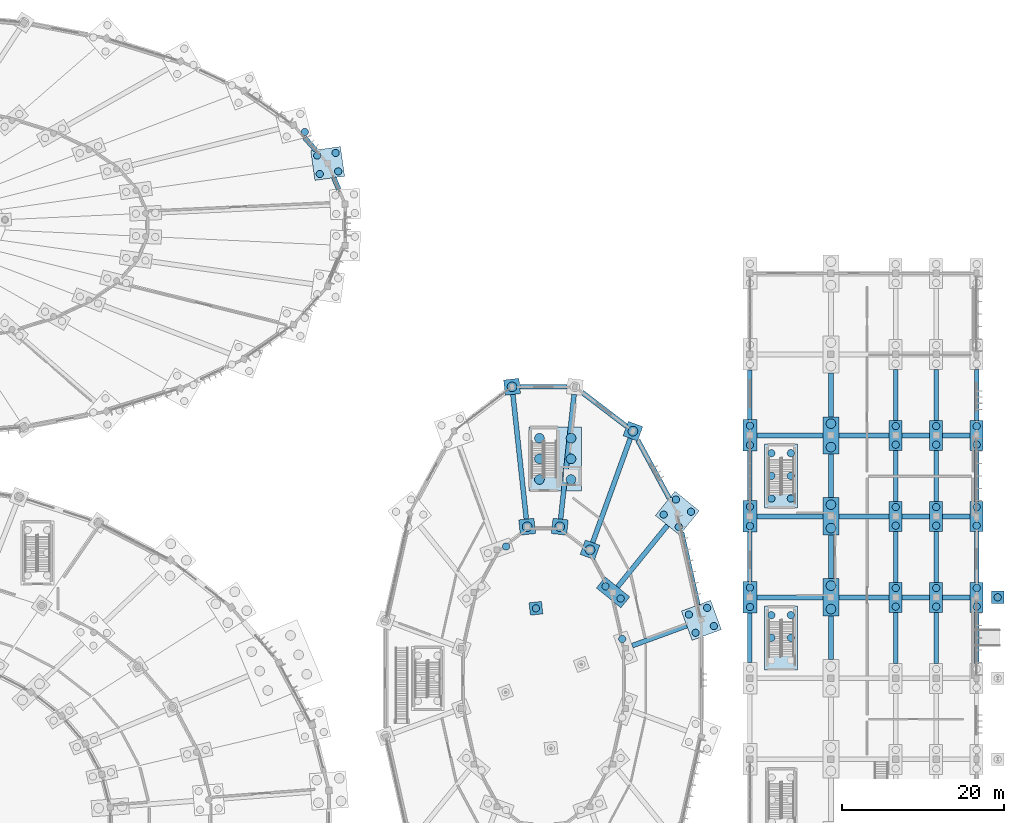
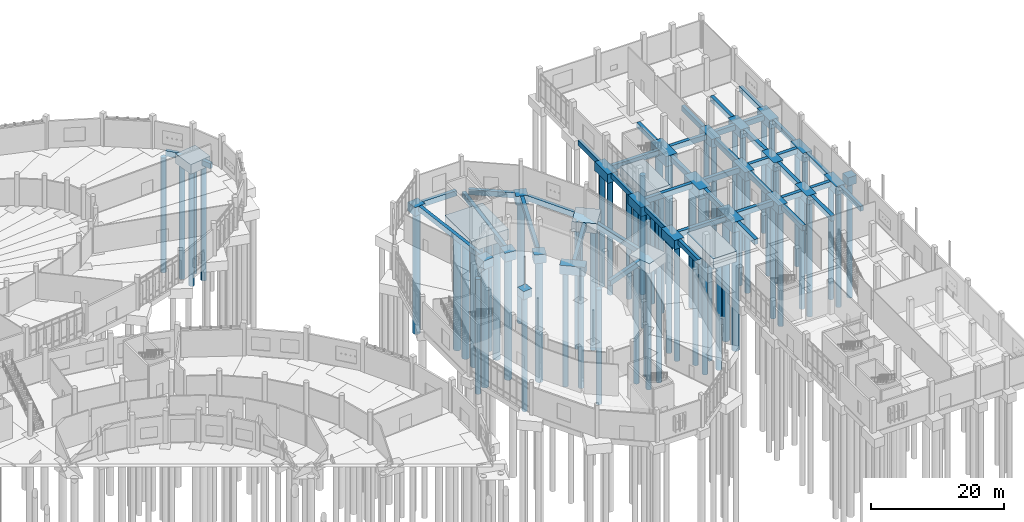
# One storey, part 11 of 140: 72 footings, 70 piles.
"""IFC4 building model written with IfcOpenShell, lengths in metres."""

from ifc_helpers import new_model, si_unit, direction, frame, origin, origin_2d, place, context, subcontext, project, spatial, rectangle, circle, extrude, material, layer, layer_set, material_profile, profile_set, type_object, element, save


model = new_model("IFC4")

# Units and contexts
model_context = context("Model", 3, precision=1e-05, world=origin(), true_north=direction((0.0, 1.0)))
body_context = subcontext(model_context, "Body", "Model", "MODEL_VIEW")
ifc_project = project(units=[si_unit("LENGTHUNIT", "METRE"), si_unit("AREAUNIT", "SQUARE_METRE"), si_unit("VOLUMEUNIT", "CUBIC_METRE"), si_unit("PLANEANGLEUNIT", "RADIAN"), si_unit("MASSUNIT", "GRAM", prefix="KILO")], contexts=[model_context])

# Site, building, storey
site_placement = place(None, origin())
site = spatial("IfcSite", under=ifc_project, at=site_placement, CompositionType="ELEMENT")
building_placement = place(site_placement, origin())
building = spatial("IfcBuilding", under=site, at=building_placement, Name="Corvandel Quay Wholesale Market", CompositionType="ELEMENT")
storey_placement = place(building_placement, origin())
storey = spatial("IfcBuildingStorey", under=building, at=storey_placement, Name="L00", CompositionType="ELEMENT", Elevation=0.0)

# Piles
ifc_material = material(Name="Concrete C40/50", Category="concrete")
ifc_material_profile_1 = material_profile(ifc_material, circle(Radius=0.60009765625, at=origin_2d()), Name="RC-PILE-D1200")
ifc_profile_set_1 = profile_set([ifc_material_profile_1], Name="Concrete C40/50")
pile_type_1 = type_object("IfcPileType", Name="Bored Pile D1200 L22.2", PredefinedType="BORED", material=ifc_profile_set_1)
for number, where, z_axis, x_axis, name in (
    (1, (194.0, 84.550048828125, -1.85009765625), (0.0, 0.0, -1.0), (1.0, 0.0, 0.0), "Bored Pile PIL-0017"),
    (2, (197.89990234375, 84.550048828125, -1.85009765625), (0.0, 0.0, -1.0), (1.0, 0.0, 0.0), "Bored Pile PIL-0018"),
    (3, (194.0, 87.10009765625, -1.85009765625), (0.0, 0.0, -1.0), (1.0, 0.0, 0.0), "Bored Pile PIL-0019"),
    (4, (197.89990234375, 87.10009765625, -1.85009765625), (0.0, 0.0, -1.0), (1.0, 0.0, 0.0), "Bored Pile PIL-0020"),
    (5, (194.0, 89.64990234375, -1.85009765625), (0.0, 0.0, -1.0), (1.0, 0.0, 0.0), "Bored Pile PIL-0021"),
    (6, (197.89990234375, 89.64990234375, -1.85009765625), (0.0, 0.0, -1.0), (1.0, 0.0, 0.0), "Bored Pile PIL-0022"),
    (7, (205.5458984375, 90.51904296875, -1.5), (0.0, 0.0, -1.0), (1.0, 0.0, 0.0), "Bored Pile PIL-0512"),
    (8, (200.243896484375, 75.8701171875, -1.5), (0.0, 0.0, -1.0), (1.0, 0.0, 0.0), "Bored Pile PIL-0513"),
    (9, (196.51708984375, 78.719970703125, -1.5), (0.0, 0.0, -1.0), (1.0, 0.0, 0.0), "Bored Pile PIL-0515"),
    (10, (190.62109375, 96.0, -1.5), (0.0, 0.0, -1.0), (1.0, 0.0, 0.0), "Bored Pile PIL-0516"),
    (11, (192.48291015625, 78.719970703125, -1.5), (0.0, 0.0, -1.0), (1.0, 0.0, 0.0), "Bored Pile PIL-0517"),
    (12, (230.0, 68.550048828125, -1.75), (0.0, 0.0, -1.0), (1.0, 0.0, 0.0), "Bored Pile PIL-0784"),
    (13, (230.0, 71.449951171875, -1.75), (0.0, 0.0, -1.0), (1.0, 0.0, 0.0), "Bored Pile PIL-0785"),
    (14, (230.0, 78.550048828125, -1.75), (0.0, 0.0, -1.0), (1.0, 0.0, 0.0), "Bored Pile PIL-0786"),
    (15, (230.0, 81.449951171875, -1.75), (0.0, 0.0, -1.0), (1.0, 0.0, 0.0), "Bored Pile PIL-0787"),
    (16, (230.0, 88.550048828125, -1.75), (0.0, 0.0, -1.0), (1.0, 0.0, 0.0), "Bored Pile PIL-0788"),
    (17, (230.0, 91.449951171875, -1.75), (0.0, 0.0, -1.0), (1.0, 0.0, 0.0), "Bored Pile PIL-0789"),
):
    element("IfcPile", number, at=place(storey_placement, frame(where, z_axis=z_axis, x_axis=x_axis)), inside=storey, type_object=pile_type_1, Name=name, PredefinedType="BORED", context=body_context, shape_type="SweptSolid", body=[
        extrude(circle(Radius=0.60009765625, at=origin_2d()), origin(), (0.0, 0.0, 1.0), 22.199951171875),
    ])
ifc_material_profile_2 = material_profile(ifc_material, circle(Radius=0.449951171875, at=origin_2d()), Name="RC-PILE-D900")
ifc_profile_set_2 = profile_set([ifc_material_profile_2], Name="Concrete C40/50")
pile_type_2 = type_object("IfcPileType", Name="Bored Pile D900 L21.0", PredefinedType="BORED", material=ifc_profile_set_2)
for number, where, z_axis, x_axis, name in (
    (18, (169.14697265625, 122.60595703125, -1.64990234375), (0.0, 0.0, -1.0), (1.0, 0.0, 0.0), "Bored Pile PIL-0342"),
    (19, (168.825927734375, 124.883056640625, -1.64990234375), (0.0, 0.0, -1.0), (1.0, 0.0, 0.0), "Bored Pile PIL-0343"),
    (20, (166.8701171875, 122.284912109375, -1.64990234375), (0.0, 0.0, -1.0), (1.0, 0.0, 0.0), "Bored Pile PIL-0344"),
    (21, (166.549072265625, 124.56201171875, -1.64990234375), (0.0, 0.0, -1.0), (1.0, 0.0, 0.0), "Bored Pile PIL-0345"),
    (22, (165.02001953125, 127.47705078125, -1.64990234375), (0.0, 0.0, -1.0), (1.0, 0.0, 0.0), "Bored Pile PIL-0348"),
    (23, (204.22607421875, 64.85009765625, -1.550048828125), (0.0, 0.0, -1.0), (1.0, 0.0, 0.0), "Bored Pile PIL-0504"),
    (24, (204.028076171875, 69.847900390625, -1.550048828125), (0.0, 0.0, -1.0), (1.0, 0.0, 0.0), "Bored Pile PIL-0510"),
    (25, (202.1640625, 71.360107421875, -1.550048828125), (0.0, 0.0, -1.0), (1.0, 0.0, 0.0), "Bored Pile PIL-0511"),
    (26, (193.569091796875, 68.639892578125, -1.39990234375), (0.0, 0.0, -1.0), (1.0, 0.0, 0.0), "Bored Pile PIL-0518"),
    (27, (189.884033203125, 76.278076171875, -1.550048828125), (0.0, 0.0, -1.0), (1.0, 0.0, 0.0), "Bored Pile PIL-0524"),
    (28, (220.0, 68.800048828125, -1.550048828125), (0.0, 0.0, -1.0), (1.0, 0.0, 0.0), "Bored Pile PIL-0762"),
    (29, (220.0, 71.199951171875, -1.550048828125), (0.0, 0.0, -1.0), (1.0, 0.0, 0.0), "Bored Pile PIL-0763"),
    (30, (220.0, 78.800048828125, -1.550048828125), (0.0, 0.0, -1.0), (1.0, 0.0, 0.0), "Bored Pile PIL-0764"),
    (31, (220.0, 81.199951171875, -1.550048828125), (0.0, 0.0, -1.0), (1.0, 0.0, 0.0), "Bored Pile PIL-0765"),
    (32, (220.0, 88.800048828125, -1.550048828125), (0.0, 0.0, -1.0), (1.0, 0.0, 0.0), "Bored Pile PIL-0766"),
    (33, (220.0, 91.199951171875, -1.550048828125), (0.0, 0.0, -1.0), (1.0, 0.0, 0.0), "Bored Pile PIL-0767"),
    (34, (238.0, 68.85009765625, -1.5), (0.0, 0.0, -1.0), (1.0, 0.0, 0.0), "Bored Pile PIL-0806"),
    (35, (238.0, 71.14990234375, -1.5), (0.0, 0.0, -1.0), (1.0, 0.0, 0.0), "Bored Pile PIL-0807"),
    (36, (238.0, 78.85009765625, -1.5), (0.0, 0.0, -1.0), (1.0, 0.0, 0.0), "Bored Pile PIL-0808"),
    (37, (238.0, 81.14990234375, -1.5), (0.0, 0.0, -1.0), (1.0, 0.0, 0.0), "Bored Pile PIL-0809"),
    (38, (238.0, 88.85009765625, -1.5), (0.0, 0.0, -1.0), (1.0, 0.0, 0.0), "Bored Pile PIL-0810"),
    (39, (238.0, 91.14990234375, -1.5), (0.0, 0.0, -1.0), (1.0, 0.0, 0.0), "Bored Pile PIL-0811"),
    (40, (243.0, 68.85009765625, -1.5), (0.0, 0.0, -1.0), (1.0, 0.0, 0.0), "Bored Pile PIL-0828"),
    (41, (243.0, 71.14990234375, -1.5), (0.0, 0.0, -1.0), (1.0, 0.0, 0.0), "Bored Pile PIL-0829"),
    (42, (243.0, 78.85009765625, -1.5), (0.0, 0.0, -1.0), (1.0, 0.0, 0.0), "Bored Pile PIL-0830"),
    (43, (243.0, 81.14990234375, -1.5), (0.0, 0.0, -1.0), (1.0, 0.0, 0.0), "Bored Pile PIL-0831"),
    (44, (243.0, 88.85009765625, -1.5), (0.0, 0.0, -1.0), (1.0, 0.0, 0.0), "Bored Pile PIL-0832"),
    (45, (243.0, 91.14990234375, -1.5), (0.0, 0.0, -1.0), (1.0, 0.0, 0.0), "Bored Pile PIL-0833"),
    (46, (248.0, 68.85009765625, -1.5), (0.0, 0.0, -1.0), (1.0, 0.0, 0.0), "Bored Pile PIL-0850"),
    (47, (248.0, 71.14990234375, -1.5), (0.0, 0.0, -1.0), (1.0, 0.0, 0.0), "Bored Pile PIL-0851"),
    (48, (248.0, 78.85009765625, -1.5), (0.0, 0.0, -1.0), (1.0, 0.0, 0.0), "Bored Pile PIL-0852"),
    (49, (248.0, 81.14990234375, -1.5), (0.0, 0.0, -1.0), (1.0, 0.0, 0.0), "Bored Pile PIL-0853"),
    (50, (248.0, 88.85009765625, -1.5), (0.0, 0.0, -1.0), (1.0, 0.0, 0.0), "Bored Pile PIL-0854"),
    (51, (248.0, 91.14990234375, -1.5), (0.0, 0.0, -1.0), (1.0, 0.0, 0.0), "Bored Pile PIL-0855"),
    (52, (250.60009765625, 70.0, -1.39990234375), (0.0, 0.0, -1.0), (1.0, 0.0, 0.0), "Bored Pile PIL-0863"),
):
    element("IfcPile", number, at=place(storey_placement, frame(where, z_axis=z_axis, x_axis=x_axis)), inside=storey, type_object=pile_type_2, Name=name, PredefinedType="BORED", context=body_context, shape_type="SweptSolid", body=[
        extrude(circle(Radius=0.449951171875, at=origin_2d()), origin(), (0.0, 0.0, 1.0), 21.0),
    ])
ifc_material_profile_3 = material_profile(ifc_material, circle(Radius=0.449951171875, at=origin_2d()), Name="RC-PILE-D900")
ifc_profile_set_3 = profile_set([ifc_material_profile_3], Name="Concrete C40/50")
pile_type_3 = type_object("IfcPileType", Name="Bored Pile D900 L21.8", PredefinedType="BORED", material=ifc_profile_set_3)
for number, where, z_axis, x_axis, name in (
    (53, (222.64990234375, 65.0, -1.85009765625), (0.0, 0.0, -1.0), (1.0, 0.0, 0.0), "Bored Pile PIL-0109"),
    (54, (225.050048828125, 65.0, -1.85009765625), (0.0, 0.0, -1.0), (1.0, 0.0, 0.0), "Bored Pile PIL-0110"),
    (55, (222.64990234375, 67.800048828125, -1.85009765625), (0.0, 0.0, -1.0), (1.0, 0.0, 0.0), "Bored Pile PIL-0111"),
    (56, (225.050048828125, 67.800048828125, -1.85009765625), (0.0, 0.0, -1.0), (1.0, 0.0, 0.0), "Bored Pile PIL-0112"),
    (57, (222.64990234375, 82.199951171875, -1.85009765625), (0.0, 0.0, -1.0), (1.0, 0.0, 0.0), "Bored Pile PIL-0119"),
    (58, (225.050048828125, 82.199951171875, -1.85009765625), (0.0, 0.0, -1.0), (1.0, 0.0, 0.0), "Bored Pile PIL-0120"),
    (59, (222.64990234375, 85.0, -1.85009765625), (0.0, 0.0, -1.0), (1.0, 0.0, 0.0), "Bored Pile PIL-0121"),
    (60, (225.050048828125, 85.0, -1.85009765625), (0.0, 0.0, -1.0), (1.0, 0.0, 0.0), "Bored Pile PIL-0122"),
    (61, (222.64990234375, 87.800048828125, -1.85009765625), (0.0, 0.0, -1.0), (1.0, 0.0, 0.0), "Bored Pile PIL-0123"),
    (62, (225.050048828125, 87.800048828125, -1.85009765625), (0.0, 0.0, -1.0), (1.0, 0.0, 0.0), "Bored Pile PIL-0124"),
    (63, (215.5400390625, 66.447998046875, -1.699951171875), (0.0, 0.0, -1.0), (1.0, 0.0, 0.0), "Bored Pile PIL-0499"),
    (64, (214.712890625, 68.700927734375, -1.699951171875), (0.0, 0.0, -1.0), (1.0, 0.0, 0.0), "Bored Pile PIL-0500"),
    (65, (213.287109375, 65.62109375, -1.699951171875), (0.0, 0.0, -1.0), (1.0, 0.0, 0.0), "Bored Pile PIL-0501"),
    (66, (212.4599609375, 67.8740234375, -1.699951171875), (0.0, 0.0, -1.0), (1.0, 0.0, 0.0), "Bored Pile PIL-0502"),
    (67, (212.718994140625, 80.569091796875, -1.699951171875), (0.0, 0.0, -1.0), (1.0, 0.0, 0.0), "Bored Pile PIL-0506"),
    (68, (210.85400390625, 82.080078125, -1.699951171875), (0.0, 0.0, -1.0), (1.0, 0.0, 0.0), "Bored Pile PIL-0507"),
    (69, (211.2080078125, 78.7041015625, -1.699951171875), (0.0, 0.0, -1.0), (1.0, 0.0, 0.0), "Bored Pile PIL-0508"),
    (70, (209.343017578125, 80.215087890625, -1.699951171875), (0.0, 0.0, -1.0), (1.0, 0.0, 0.0), "Bored Pile PIL-0509"),
):
    element("IfcPile", number, at=place(storey_placement, frame(where, z_axis=z_axis, x_axis=x_axis)), inside=storey, type_object=pile_type_3, Name=name, PredefinedType="BORED", context=body_context, shape_type="SweptSolid", body=[
        extrude(circle(Radius=0.449951171875, at=origin_2d()), origin(), (0.0, 0.0, 1.0), 21.800048828125),
    ])

# Footings
ifc_layer_1 = layer(ifc_material, 1.949951171875)
ifc_layer_set_1 = layer_set([ifc_layer_1], Name="Concrete C40/50")
footing_type_1 = type_object("IfcFootingType", Name="Core Mat Cap PC20 6500x7900x1950", PredefinedType="PILE_CAP", material=ifc_layer_set_1)
footing_1_placement = place(storey_placement, frame((195.949951171875, 87.10009765625, -1.9501953125), z_axis=(0.0, 0.0, 1.0), x_axis=(1.0, 0.0, 0.0)))
element("IfcFooting", 71, at=footing_1_placement, inside=storey, type_object=footing_type_1, Name="Pile Cap FND-0005", PredefinedType="PILE_CAP", context=body_context, shape_type="SweptSolid", body=[
    extrude(rectangle(XDim=6.5, YDim=7.89990234375, at=origin_2d()), origin(), (0.0, 0.0, 1.0), 1.949951171875),
])
ifc_layer_2 = layer(ifc_material, 0.89990234375)
ifc_layer_set_2 = layer_set([ifc_layer_2], Name="Concrete C40/50")
footing_type_2 = type_object("IfcFootingType", Name="Perimeter Grade Beam GB03 550x900", PredefinedType="FOOTING_BEAM", material=ifc_layer_set_2)
for number, where, z_axis, x_axis, name in (
    (72, (220.0, 65.0, -0.89990234375), (0.0, 0.0, 1.0), (0.0, 1.0, 0.0), "Grade Beam FND-0727"),
    (73, (220.0, 75.0, -0.89990234375), (0.0, 0.0, 1.0), (0.0, 1.0, 0.0), "Grade Beam FND-0728"),
    (74, (220.0, 85.0, -0.89990234375), (0.0, 0.0, 1.0), (0.0, 1.0, 0.0), "Grade Beam FND-0729"),
    (75, (220.0, 95.0, -0.89990234375), (0.0, 0.0, 1.0), (0.0, 1.0, 0.0), "Grade Beam FND-0730"),
):
    element("IfcFooting", number, at=place(storey_placement, frame(where, z_axis=z_axis, x_axis=x_axis)), inside=storey, type_object=footing_type_2, Name=name, PredefinedType="FOOTING_BEAM", context=body_context, shape_type="SweptSolid", body=[
        extrude(rectangle(XDim=6.10009765625, YDim=0.550048828125, at=origin_2d()), origin(), (0.0, 0.0, 1.0), 0.89990234375),
    ])
for number, where, z_axis, x_axis, name in (
    (76, (248.0, 65.0, -0.89990234375), (0.0, 0.0, 1.0), (0.0, 1.0, 0.0), "Grade Beam FND-0767"),
    (77, (248.0, 75.0, -0.89990234375), (0.0, 0.0, 1.0), (0.0, 1.0, 0.0), "Grade Beam FND-0768"),
    (78, (248.0, 85.0, -0.89990234375), (0.0, 0.0, 1.0), (0.0, 1.0, 0.0), "Grade Beam FND-0769"),
    (79, (248.0, 95.0, -0.89990234375), (0.0, 0.0, 1.0), (0.0, 1.0, 0.0), "Grade Beam FND-0770"),
):
    element("IfcFooting", number, at=place(storey_placement, frame(where, z_axis=z_axis, x_axis=x_axis)), inside=storey, type_object=footing_type_2, Name=name, PredefinedType="FOOTING_BEAM", context=body_context, shape_type="SweptSolid", body=[
        extrude(rectangle(XDim=6.300048828125, YDim=0.550048828125, at=origin_2d()), origin(), (0.0, 0.0, 1.0), 0.89990234375),
    ])
ifc_layer_3 = layer(ifc_material, 1.60009765625)
ifc_layer_set_3 = layer_set([ifc_layer_3], Name="Concrete C40/50")
footing_type_3 = type_object("IfcFootingType", Name="Pile Cap PC01 1600x3700x1600", PredefinedType="PILE_CAP", material=ifc_layer_set_3)
for number, where, z_axis, x_axis, name in (
    (80, (238.0, 70.0, -1.60009765625), (0.0, 0.0, 1.0), (1.0, 0.0, 0.0), "Pile Cap FND-0651"),
    (81, (238.0, 80.0, -1.60009765625), (0.0, 0.0, 1.0), (1.0, 0.0, 0.0), "Pile Cap FND-0652"),
    (82, (238.0, 90.0, -1.60009765625), (0.0, 0.0, 1.0), (1.0, 0.0, 0.0), "Pile Cap FND-0653"),
    (83, (243.0, 70.0, -1.60009765625), (0.0, 0.0, 1.0), (1.0, 0.0, 0.0), "Pile Cap FND-0662"),
    (84, (243.0, 80.0, -1.60009765625), (0.0, 0.0, 1.0), (1.0, 0.0, 0.0), "Pile Cap FND-0663"),
    (85, (243.0, 90.0, -1.60009765625), (0.0, 0.0, 1.0), (1.0, 0.0, 0.0), "Pile Cap FND-0664"),
    (86, (248.0, 70.0, -1.60009765625), (0.0, 0.0, 1.0), (1.0, 0.0, 0.0), "Pile Cap FND-0673"),
    (87, (248.0, 80.0, -1.60009765625), (0.0, 0.0, 1.0), (1.0, 0.0, 0.0), "Pile Cap FND-0674"),
    (88, (248.0, 90.0, -1.60009765625), (0.0, 0.0, 1.0), (1.0, 0.0, 0.0), "Pile Cap FND-0675"),
):
    element("IfcFooting", number, at=place(storey_placement, frame(where, z_axis=z_axis, x_axis=x_axis)), inside=storey, type_object=footing_type_3, Name=name, PredefinedType="PILE_CAP", context=body_context, shape_type="SweptSolid", body=[
        extrude(rectangle(XDim=1.60009765625, YDim=3.699951171875, at=origin_2d()), origin(), (0.0, 0.0, 1.0), 1.60009765625),
    ])
ifc_layer_4 = layer(ifc_material, 1.64990234375)
ifc_layer_set_4 = layer_set([ifc_layer_4], Name="Concrete C40/50")
footing_type_4 = type_object("IfcFootingType", Name="Pile Cap PC03 1750x3900x1650", PredefinedType="PILE_CAP", material=ifc_layer_set_4)
for number, where, z_axis, x_axis, name in (
    (89, (220.0, 70.0, -1.64990234375), (0.0, 0.0, 1.0), (1.0, 0.0, 0.0), "Pile Cap FND-0629"),
    (90, (220.0, 80.0, -1.64990234375), (0.0, 0.0, 1.0), (1.0, 0.0, 0.0), "Pile Cap FND-0630"),
    (91, (220.0, 90.0, -1.64990234375), (0.0, 0.0, 1.0), (1.0, 0.0, 0.0), "Pile Cap FND-0631"),
):
    element("IfcFooting", number, at=place(storey_placement, frame(where, z_axis=z_axis, x_axis=x_axis)), inside=storey, type_object=footing_type_4, Name=name, PredefinedType="PILE_CAP", context=body_context, shape_type="SweptSolid", body=[
        extrude(rectangle(XDim=1.75, YDim=3.89990234375, at=origin_2d()), origin(), (0.0, 0.0, 1.0), 1.64990234375),
    ])
ifc_layer_5 = layer(ifc_material, 1.64990234375)
ifc_layer_set_5 = layer_set([ifc_layer_5], Name="Concrete C40/50")
footing_type_5 = type_object("IfcFootingType", Name="Pile Cap PC04 3900x1750x1650", PredefinedType="PILE_CAP", material=ifc_layer_set_5)
footing_2_placement = place(storey_placement, frame((203.095947265625, 70.60400390625, -1.64990234375), z_axis=(0.0, 0.0, 1.0), x_axis=(-0.776816343556, 0.629727217439, 0.0)))
element("IfcFooting", 92, at=footing_2_placement, inside=storey, type_object=footing_type_5, Name="Pile Cap FND-0339", PredefinedType="PILE_CAP", context=body_context, shape_type="SweptSolid", body=[
    extrude(rectangle(XDim=3.89990234375, YDim=1.75, at=origin_2d()), origin(), (0.0, 0.0, 1.0), 1.64990234375),
])
ifc_layer_6 = layer(ifc_material, 1.75)
ifc_layer_set_6 = layer_set([ifc_layer_6], Name="Concrete C40/50")
footing_type_6 = type_object("IfcFootingType", Name="Pile Cap PC05 3700x3700x1750", PredefinedType="PILE_CAP", material=ifc_layer_set_6)
footing_3_placement = place(storey_placement, frame((167.847900390625, 123.583984375, -1.75), z_axis=(0.0, 0.0, 1.0), x_axis=(-0.13951876124, 0.990219427835, 0.0)))
element("IfcFooting", 93, at=footing_3_placement, inside=storey, type_object=footing_type_6, Name="Pile Cap FND-0218", PredefinedType="PILE_CAP", context=body_context, shape_type="SweptSolid", body=[
    extrude(rectangle(XDim=3.699951171875, YDim=3.699951171875, at=origin_2d()), origin(), (0.0, 0.0, 1.0), 1.75),
])
ifc_layer_7 = layer(ifc_material, 1.800048828125)
ifc_layer_set_7 = layer_set([ifc_layer_7], Name="Concrete C40/50")
footing_type_7 = type_object("IfcFootingType", Name="Pile Cap PC06 3850x3850x1800", PredefinedType="PILE_CAP", material=ifc_layer_set_7)
for number, where, z_axis, x_axis, name in (
    (94, (214.0, 67.160888671875, -1.7998046875), (0.0, 0.0, 1.0), (-0.344642923175, 0.938733857654, 0.0), "Pile Cap FND-0335"),
    (95, (211.031005859375, 80.39208984375, -1.7998046875), (0.0, 0.0, 1.0), (-0.776816343556, 0.629727217439, 0.0), "Pile Cap FND-0338"),
):
    element("IfcFooting", number, at=place(storey_placement, frame(where, z_axis=z_axis, x_axis=x_axis)), inside=storey, type_object=footing_type_7, Name=name, PredefinedType="PILE_CAP", context=body_context, shape_type="SweptSolid", body=[
        extrude(rectangle(XDim=3.85009765625, YDim=3.85009765625, at=origin_2d()), origin(), (0.0, 0.0, 1.0), 1.800048828125),
    ])
ifc_layer_8 = layer(ifc_material, 1.85009765625)
ifc_layer_set_8 = layer_set([ifc_layer_8], Name="Concrete C40/50")
footing_type_8 = type_object("IfcFootingType", Name="Pile Cap PC09 2000x4600x1850", PredefinedType="PILE_CAP", material=ifc_layer_set_8)
for number, where, z_axis, x_axis, name in (
    (96, (230.0, 70.0, -1.85009765625), (0.0, 0.0, 1.0), (1.0, 0.0, 0.0), "Pile Cap FND-0640"),
    (97, (230.0, 80.0, -1.85009765625), (0.0, 0.0, 1.0), (1.0, 0.0, 0.0), "Pile Cap FND-0641"),
    (98, (230.0, 90.0, -1.85009765625), (0.0, 0.0, 1.0), (1.0, 0.0, 0.0), "Pile Cap FND-0642"),
):
    element("IfcFooting", number, at=place(storey_placement, frame(where, z_axis=z_axis, x_axis=x_axis)), inside=storey, type_object=footing_type_8, Name=name, PredefinedType="PILE_CAP", context=body_context, shape_type="SweptSolid", body=[
        extrude(rectangle(XDim=2.0, YDim=4.60009765625, at=origin_2d()), origin(), (0.0, 0.0, 1.0), 1.85009765625),
    ])
ifc_layer_9 = layer(ifc_material, 1.5)
ifc_layer_set_9 = layer_set([ifc_layer_9], Name="Concrete C40/50")
footing_type_9 = type_object("IfcFootingType", Name="Pile Cap PC15 1550x1550x1500", PredefinedType="PILE_CAP", material=ifc_layer_set_9)
for number, where, z_axis, x_axis, name in (
    (99, (193.569091796875, 68.639892578125, -1.5), (0.0, 0.0, 1.0), (0.994244832633, 0.107131754314, 0.0), "Pile Cap FND-0346"),
    (100, (250.60009765625, 70.0, -1.5), (0.0, 0.0, 1.0), (1.0, 0.0, 0.0), "Pile Cap FND-0775"),
):
    element("IfcFooting", number, at=place(storey_placement, frame(where, z_axis=z_axis, x_axis=x_axis)), inside=storey, type_object=footing_type_9, Name=name, PredefinedType="PILE_CAP", context=body_context, shape_type="SweptSolid", body=[
        extrude(rectangle(XDim=1.550048828125, YDim=1.550048828125, at=origin_2d()), origin(), (0.0, 0.0, 1.0), 1.5),
    ])
ifc_layer_10 = layer(ifc_material, 1.60009765625)
ifc_layer_set_10 = layer_set([ifc_layer_10], Name="Concrete C40/50")
footing_type_10 = type_object("IfcFootingType", Name="Pile Cap PC16 1900x1900x1600", PredefinedType="PILE_CAP", material=ifc_layer_set_10)
for number, where, z_axis, x_axis, name in (
    (101, (205.5458984375, 90.51904296875, -1.60009765625), (0.0, 0.0, 1.0), (-0.94028812701, 0.340379550213, 0.0), "Pile Cap FND-0340"),
    (102, (200.243896484375, 75.8701171875, -1.60009765625), (0.0, 0.0, 1.0), (-0.94028812701, 0.340379550213, 0.0), "Pile Cap FND-0341"),
    (103, (196.51708984375, 78.719970703125, -1.60009765625), (0.0, 0.0, 1.0), (-0.994244832633, 0.107131754314, 0.0), "Pile Cap FND-0343"),
    (104, (190.62109375, 96.0, -1.60009765625), (0.0, 0.0, 1.0), (0.994244832633, 0.107131754314, 0.0), "Pile Cap FND-0344"),
    (105, (192.48291015625, 78.719970703125, -1.60009765625), (0.0, 0.0, 1.0), (0.994244832633, 0.107131754314, 0.0), "Pile Cap FND-0345"),
):
    element("IfcFooting", number, at=place(storey_placement, frame(where, z_axis=z_axis, x_axis=x_axis)), inside=storey, type_object=footing_type_10, Name=name, PredefinedType="PILE_CAP", context=body_context, shape_type="SweptSolid", body=[
        extrude(rectangle(XDim=1.89990234375, YDim=1.89990234375, at=origin_2d()), origin(), (0.0, 0.0, 1.0), 1.60009765625),
    ])
ifc_layer_11 = layer(ifc_material, 0.949951171875)
ifc_layer_set_11 = layer_set([ifc_layer_11], Name="Concrete C40/50")
footing_type_11 = type_object("IfcFootingType", Name="Seismic Tie Beam GB01 600x950", PredefinedType="FOOTING_BEAM", material=ifc_layer_set_11)
footing_4_placement = place(storey_placement, frame((168.912109375, 121.10009765625, -0.9501953125), z_axis=(0.0, 0.0, 1.0), x_axis=(-0.393781484212, 0.919204081089, 0.0)))
element("IfcFooting", 106, at=footing_4_placement, inside=storey, type_object=footing_type_11, Name="Grade Beam FND-0287", PredefinedType="FOOTING_BEAM", context=body_context, shape_type="SweptSolid", body=[
    extrude(rectangle(XDim=1.572021484375, YDim=0.60009765625, at=origin_2d()), origin(), (0.0, 0.0, 1.0), 0.949951171875),
])
footing_5_placement = place(storey_placement, frame((165.693115234375, 126.0, -0.9501953125), z_axis=(0.0, 0.0, 1.0), x_axis=(-0.665621202286, 0.746289766155, 0.0)))
element("IfcFooting", 107, at=footing_5_placement, inside=storey, type_object=footing_type_11, Name="Grade Beam FND-0289", PredefinedType="FOOTING_BEAM", context=body_context, shape_type="SweptSolid", body=[
    extrude(rectangle(XDim=2.02587890625, YDim=0.60009765625, at=origin_2d()), origin(), (0.0, 0.0, 1.0), 0.949951171875),
])
footing_6_placement = place(storey_placement, frame((212.572021484375, 73.527099609375, -0.9501953125), z_axis=(0.0, 0.0, 1.0), x_axis=(-0.218994806262, 0.975726024471, 0.0)))
element("IfcFooting", 108, at=footing_6_placement, inside=storey, type_object=footing_type_11, Name="Grade Beam FND-0371", PredefinedType="FOOTING_BEAM", context=body_context, shape_type="SweptSolid", body=[
    extrude(rectangle(XDim=9.1650390625, YDim=0.60009765625, at=origin_2d()), origin(), (0.0, 0.0, 1.0), 0.949951171875),
])
footing_7_placement = place(storey_placement, frame((208.826904296875, 65.261962890625, -0.9501953125), z_axis=(0.0, 0.0, 1.0), x_axis=(0.938733857654, 0.344642923175, 0.0)))
element("IfcFooting", 109, at=footing_7_placement, inside=storey, type_object=footing_type_11, Name="Grade Beam FND-0372", PredefinedType="FOOTING_BEAM", context=body_context, shape_type="SweptSolid", body=[
    extrude(rectangle(XDim=7.1708984375, YDim=0.60009765625, at=origin_2d()), origin(), (0.0, 0.0, 1.0), 0.949951171875),
])
footing_8_placement = place(storey_placement, frame((208.094970703125, 85.81298828125, -0.9501953125), z_axis=(0.0, 0.0, 1.0), x_axis=(-0.476238203668, 0.879316310191, 0.0)))
element("IfcFooting", 110, at=footing_8_placement, inside=storey, type_object=footing_type_11, Name="Grade Beam FND-0373", PredefinedType="FOOTING_BEAM", context=body_context, shape_type="SweptSolid", body=[
    extrude(rectangle(XDim=8.160888671875, YDim=0.60009765625, at=origin_2d()), origin(), (0.0, 0.0, 1.0), 0.949951171875),
])
footing_9_placement = place(storey_placement, frame((206.73291015625, 75.090087890625, -0.9501953125), z_axis=(0.0, 0.0, 1.0), x_axis=(0.629727217439, 0.776816343556, 0.0)))
element("IfcFooting", 111, at=footing_9_placement, inside=storey, type_object=footing_type_11, Name="Grade Beam FND-0374", PredefinedType="FOOTING_BEAM", context=body_context, shape_type="SweptSolid", body=[
    extrude(rectangle(XDim=9.800048828125, YDim=0.60009765625, at=origin_2d()), origin(), (0.0, 0.0, 1.0), 0.949951171875),
])
footing_10_placement = place(storey_placement, frame((202.008056640625, 93.22509765625, -0.9501953125), z_axis=(0.0, 0.0, 1.0), x_axis=(-0.794308601354, 0.607514481979, 0.0)))
element("IfcFooting", 112, at=footing_10_placement, inside=storey, type_object=footing_type_11, Name="Grade Beam FND-0375", PredefinedType="FOOTING_BEAM", context=body_context, shape_type="SweptSolid", body=[
    extrude(rectangle(XDim=6.9150390625, YDim=0.60009765625, at=origin_2d()), origin(), (0.0, 0.0, 1.0), 0.949951171875),
])
footing_11_placement = place(storey_placement, frame((202.89501953125, 83.195068359375, -0.9501953125), z_axis=(0.0, 0.0, 1.0), x_axis=(0.340379550213, 0.94028812701, 0.0)))
element("IfcFooting", 113, at=footing_11_placement, inside=storey, type_object=footing_type_11, Name="Grade Beam FND-0376", PredefinedType="FOOTING_BEAM", context=body_context, shape_type="SweptSolid", body=[
    extrude(rectangle(XDim=13.678955078125, YDim=0.60009765625, at=origin_2d()), origin(), (0.0, 0.0, 1.0), 0.949951171875),
])
footing_12_placement = place(storey_placement, frame((194.5, 96.0, -0.9501953125), z_axis=(0.0, 0.0, 1.0), x_axis=(1.0, 0.0, 0.0)))
element("IfcFooting", 114, at=footing_12_placement, inside=storey, type_object=footing_type_11, Name="Grade Beam FND-0377", PredefinedType="FOOTING_BEAM", context=body_context, shape_type="SweptSolid", body=[
    extrude(rectangle(XDim=5.846923828125, YDim=0.60009765625, at=origin_2d()), origin(), (0.0, 0.0, 1.0), 0.949951171875),
])
for number, where, z_axis, x_axis, name in (
    (115, (197.447998046875, 87.360107421875, -0.9501953125), (0.0, 0.0, 1.0), (0.107131754314, 0.994244832633, 0.0), "Grade Beam FND-0378"),
    (116, (191.552001953125, 87.360107421875, -0.9501953125), (0.0, 0.0, 1.0), (-0.107131754314, 0.994244832633, 0.0), "Grade Beam FND-0380"),
):
    element("IfcFooting", number, at=place(storey_placement, frame(where, z_axis=z_axis, x_axis=x_axis)), inside=storey, type_object=footing_type_11, Name=name, PredefinedType="FOOTING_BEAM", context=body_context, shape_type="SweptSolid", body=[
        extrude(rectangle(XDim=15.47998046875, YDim=0.60009765625, at=origin_2d()), origin(), (0.0, 0.0, 1.0), 0.949951171875),
    ])
footing_13_placement = place(storey_placement, frame((224.93798828125, 70.0, -0.9501953125), z_axis=(0.0, 0.0, 1.0), x_axis=(1.0, 0.0, 0.0)))
element("IfcFooting", 117, at=footing_13_placement, inside=storey, type_object=footing_type_11, Name="Grade Beam FND-0702", PredefinedType="FOOTING_BEAM", context=body_context, shape_type="SweptSolid", body=[
    extrude(rectangle(XDim=8.125, YDim=0.60009765625, at=origin_2d()), origin(), (0.0, 0.0, 1.0), 0.949951171875),
])
footing_14_placement = place(storey_placement, frame((234.10009765625, 70.0, -0.9501953125), z_axis=(0.0, 0.0, 1.0), x_axis=(1.0, 0.0, 0.0)))
element("IfcFooting", 118, at=footing_14_placement, inside=storey, type_object=footing_type_11, Name="Grade Beam FND-0703", PredefinedType="FOOTING_BEAM", context=body_context, shape_type="SweptSolid", body=[
    extrude(rectangle(XDim=6.199951171875, YDim=0.60009765625, at=origin_2d()), origin(), (0.0, 0.0, 1.0), 0.949951171875),
])
for number, where, z_axis, x_axis, name in (
    (119, (240.5, 70.0, -0.9501953125), (0.0, 0.0, 1.0), (1.0, 0.0, 0.0), "Grade Beam FND-0704"),
    (120, (245.5, 70.0, -0.9501953125), (0.0, 0.0, 1.0), (1.0, 0.0, 0.0), "Grade Beam FND-0705"),
):
    element("IfcFooting", number, at=place(storey_placement, frame(where, z_axis=z_axis, x_axis=x_axis)), inside=storey, type_object=footing_type_11, Name=name, PredefinedType="FOOTING_BEAM", context=body_context, shape_type="SweptSolid", body=[
        extrude(rectangle(XDim=3.39990234375, YDim=0.60009765625, at=origin_2d()), origin(), (0.0, 0.0, 1.0), 0.949951171875),
    ])
footing_15_placement = place(storey_placement, frame((224.93798828125, 80.0, -0.9501953125), z_axis=(0.0, 0.0, 1.0), x_axis=(1.0, 0.0, 0.0)))
element("IfcFooting", 121, at=footing_15_placement, inside=storey, type_object=footing_type_11, Name="Grade Beam FND-0706", PredefinedType="FOOTING_BEAM", context=body_context, shape_type="SweptSolid", body=[
    extrude(rectangle(XDim=8.125, YDim=0.60009765625, at=origin_2d()), origin(), (0.0, 0.0, 1.0), 0.949951171875),
])
footing_16_placement = place(storey_placement, frame((234.10009765625, 80.0, -0.9501953125), z_axis=(0.0, 0.0, 1.0), x_axis=(1.0, 0.0, 0.0)))
element("IfcFooting", 122, at=footing_16_placement, inside=storey, type_object=footing_type_11, Name="Grade Beam FND-0707", PredefinedType="FOOTING_BEAM", context=body_context, shape_type="SweptSolid", body=[
    extrude(rectangle(XDim=6.199951171875, YDim=0.60009765625, at=origin_2d()), origin(), (0.0, 0.0, 1.0), 0.949951171875),
])
for number, where, z_axis, x_axis, name in (
    (123, (240.5, 80.0, -0.9501953125), (0.0, 0.0, 1.0), (1.0, 0.0, 0.0), "Grade Beam FND-0708"),
    (124, (245.5, 80.0, -0.9501953125), (0.0, 0.0, 1.0), (1.0, 0.0, 0.0), "Grade Beam FND-0709"),
):
    element("IfcFooting", number, at=place(storey_placement, frame(where, z_axis=z_axis, x_axis=x_axis)), inside=storey, type_object=footing_type_11, Name=name, PredefinedType="FOOTING_BEAM", context=body_context, shape_type="SweptSolid", body=[
        extrude(rectangle(XDim=3.39990234375, YDim=0.60009765625, at=origin_2d()), origin(), (0.0, 0.0, 1.0), 0.949951171875),
    ])
footing_17_placement = place(storey_placement, frame((224.93798828125, 90.0, -0.9501953125), z_axis=(0.0, 0.0, 1.0), x_axis=(1.0, 0.0, 0.0)))
element("IfcFooting", 125, at=footing_17_placement, inside=storey, type_object=footing_type_11, Name="Grade Beam FND-0710", PredefinedType="FOOTING_BEAM", context=body_context, shape_type="SweptSolid", body=[
    extrude(rectangle(XDim=8.125, YDim=0.60009765625, at=origin_2d()), origin(), (0.0, 0.0, 1.0), 0.949951171875),
])
footing_18_placement = place(storey_placement, frame((234.10009765625, 90.0, -0.9501953125), z_axis=(0.0, 0.0, 1.0), x_axis=(1.0, 0.0, 0.0)))
element("IfcFooting", 126, at=footing_18_placement, inside=storey, type_object=footing_type_11, Name="Grade Beam FND-0711", PredefinedType="FOOTING_BEAM", context=body_context, shape_type="SweptSolid", body=[
    extrude(rectangle(XDim=6.199951171875, YDim=0.60009765625, at=origin_2d()), origin(), (0.0, 0.0, 1.0), 0.949951171875),
])
for number, where, z_axis, x_axis, name in (
    (127, (240.5, 90.0, -0.9501953125), (0.0, 0.0, 1.0), (1.0, 0.0, 0.0), "Grade Beam FND-0712"),
    (128, (245.5, 90.0, -0.9501953125), (0.0, 0.0, 1.0), (1.0, 0.0, 0.0), "Grade Beam FND-0713"),
):
    element("IfcFooting", number, at=place(storey_placement, frame(where, z_axis=z_axis, x_axis=x_axis)), inside=storey, type_object=footing_type_11, Name=name, PredefinedType="FOOTING_BEAM", context=body_context, shape_type="SweptSolid", body=[
        extrude(rectangle(XDim=3.39990234375, YDim=0.60009765625, at=origin_2d()), origin(), (0.0, 0.0, 1.0), 0.949951171875),
    ])
for number, where, z_axis, x_axis, name in (
    (129, (230.0, 65.0, -0.9501953125), (0.0, 0.0, 1.0), (0.0, 1.0, 0.0), "Grade Beam FND-0737"),
    (130, (230.0, 75.0, -0.9501953125), (0.0, 0.0, 1.0), (0.0, 1.0, 0.0), "Grade Beam FND-0738"),
    (131, (230.0, 85.0, -0.9501953125), (0.0, 0.0, 1.0), (0.0, 1.0, 0.0), "Grade Beam FND-0739"),
    (132, (230.0, 95.0, -0.9501953125), (0.0, 0.0, 1.0), (0.0, 1.0, 0.0), "Grade Beam FND-0740"),
):
    element("IfcFooting", number, at=place(storey_placement, frame(where, z_axis=z_axis, x_axis=x_axis)), inside=storey, type_object=footing_type_11, Name=name, PredefinedType="FOOTING_BEAM", context=body_context, shape_type="SweptSolid", body=[
        extrude(rectangle(XDim=5.39990234375, YDim=0.60009765625, at=origin_2d()), origin(), (0.0, 0.0, 1.0), 0.949951171875),
    ])
for number, where, z_axis, x_axis, name in (
    (133, (238.0, 65.0, -0.9501953125), (0.0, 0.0, 1.0), (0.0, 1.0, 0.0), "Grade Beam FND-0747"),
    (134, (238.0, 75.0, -0.9501953125), (0.0, 0.0, 1.0), (0.0, 1.0, 0.0), "Grade Beam FND-0748"),
    (135, (238.0, 85.0, -0.9501953125), (0.0, 0.0, 1.0), (0.0, 1.0, 0.0), "Grade Beam FND-0749"),
    (136, (238.0, 95.0, -0.9501953125), (0.0, 0.0, 1.0), (0.0, 1.0, 0.0), "Grade Beam FND-0750"),
    (137, (243.0, 65.0, -0.9501953125), (0.0, 0.0, 1.0), (0.0, 1.0, 0.0), "Grade Beam FND-0757"),
    (138, (243.0, 75.0, -0.9501953125), (0.0, 0.0, 1.0), (0.0, 1.0, 0.0), "Grade Beam FND-0758"),
    (139, (243.0, 85.0, -0.9501953125), (0.0, 0.0, 1.0), (0.0, 1.0, 0.0), "Grade Beam FND-0759"),
    (140, (243.0, 95.0, -0.9501953125), (0.0, 0.0, 1.0), (0.0, 1.0, 0.0), "Grade Beam FND-0760"),
):
    element("IfcFooting", number, at=place(storey_placement, frame(where, z_axis=z_axis, x_axis=x_axis)), inside=storey, type_object=footing_type_11, Name=name, PredefinedType="FOOTING_BEAM", context=body_context, shape_type="SweptSolid", body=[
        extrude(rectangle(XDim=6.300048828125, YDim=0.60009765625, at=origin_2d()), origin(), (0.0, 0.0, 1.0), 0.949951171875),
    ])
ifc_layer_12 = layer(ifc_material, 1.949951171875)
ifc_layer_set_12 = layer_set([ifc_layer_12], Name="Concrete C40/50")
footing_type_12 = type_object("IfcFootingType", Name="Shaft Pile Cap PC14 4050x7900x1950", PredefinedType="PILE_CAP", material=ifc_layer_set_12)
for number, where, z_axis, x_axis, name in (
    (141, (223.85009765625, 65.0, -1.9501953125), (0.0, 0.0, 1.0), (1.0, 0.0, 0.0), "Pile Cap FND-0020"),
    (142, (223.85009765625, 85.0, -1.9501953125), (0.0, 0.0, 1.0), (1.0, 0.0, 0.0), "Pile Cap FND-0022"),
):
    element("IfcFooting", number, at=place(storey_placement, frame(where, z_axis=z_axis, x_axis=x_axis)), inside=storey, type_object=footing_type_12, Name=name, PredefinedType="PILE_CAP", context=body_context, shape_type="SweptSolid", body=[
        extrude(rectangle(XDim=4.050048828125, YDim=7.89990234375, at=origin_2d()), origin(), (0.0, 0.0, 1.0), 1.949951171875),
    ])

save(model, "model.ifc")
